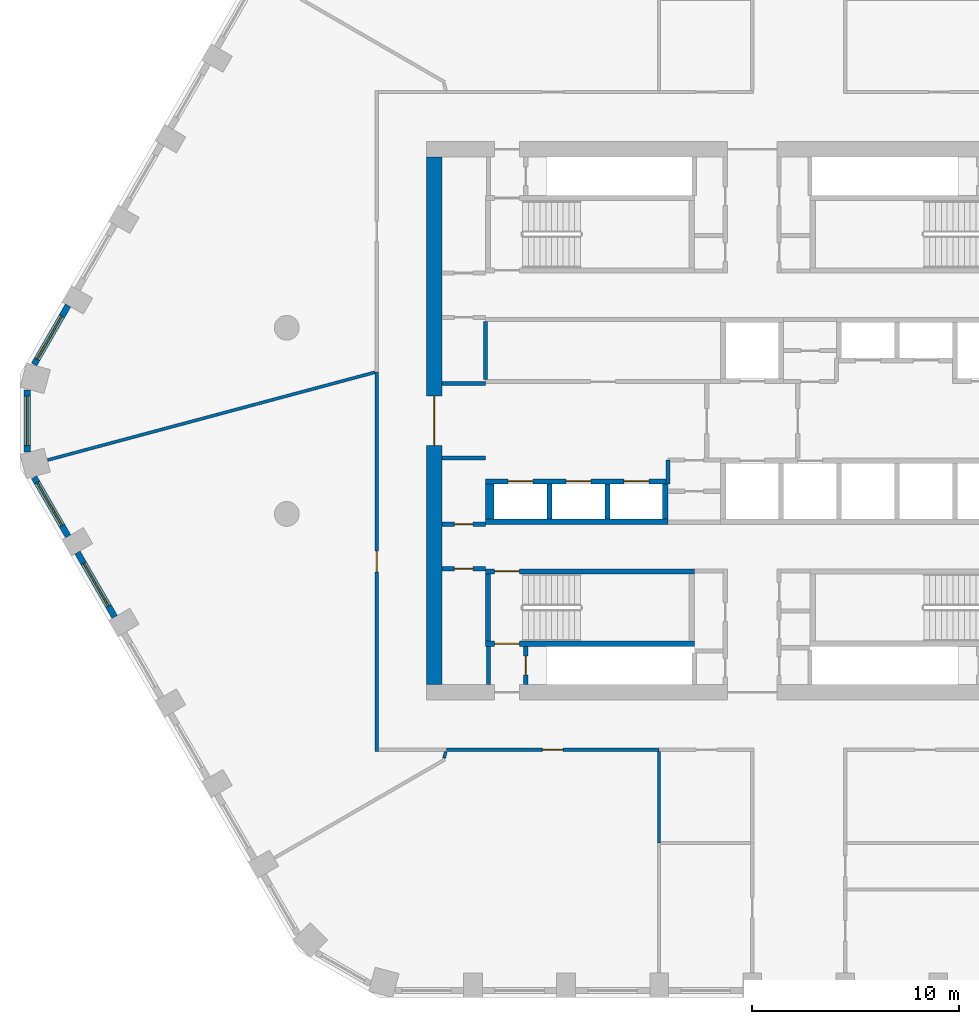
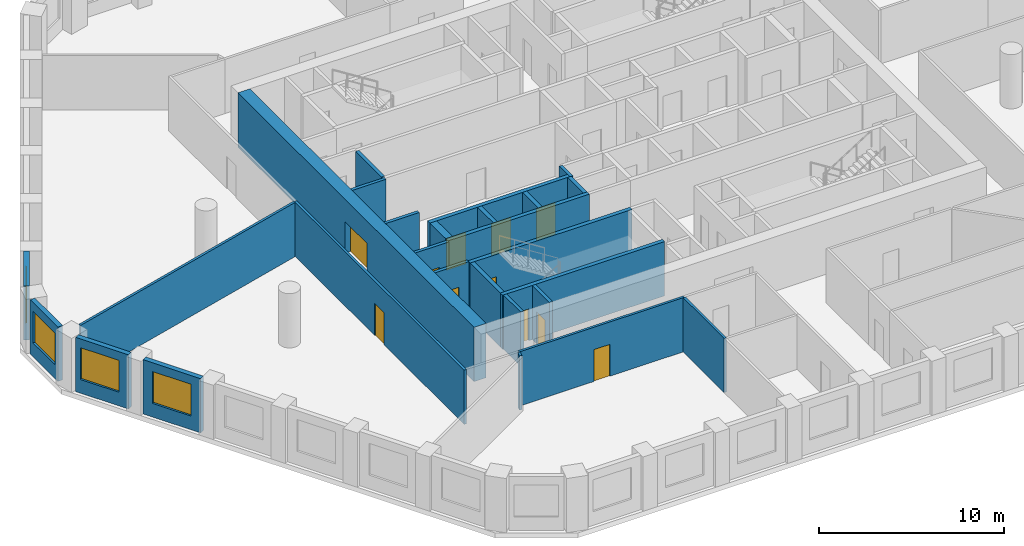
# One storey, part 2 of 9: 27 walls, 11 doors, 4 windows, 15 openings.
"""IFC4 building model written with IfcOpenShell, lengths in metres."""

import ifcopenshell
import ifcopenshell.guid

model = None  # the IFC model being written
_history = None  # IfcOwnerHistory: only IFC2X3 demands one
_inside = {}  # id of a spatial element -> (the spatial element, [elements in it])
_under = {}  # id of a project, library or spatial element -> (it, [spatial elements below it])
_declared = {}  # id of a project -> (the project, [libraries it declares])
_typed = {}  # id of a type object -> (the type object, [elements of that type])
_made_of = {}  # id of a material, layer set ... -> (it, [elements and type objects made of it])


def new_model(schema):
    """Start an empty IFC model of exactly this schema.

    Asked for "IFC4X3", IfcOpenShell would pick the latest addendum, in which some entities
    have other attributes; the version numbers below select the first issue.
    IFC2X3 requires an IfcOwnerHistory on every rooted entity: one is made here for all.
    """
    global model, _history
    if schema == "IFC4X3":
        model = ifcopenshell.file(schema_version=(4, 3, 0, 0))
    else:
        model = ifcopenshell.file(schema=schema)
    _inside.clear()
    _under.clear()
    _declared.clear()
    _typed.clear()
    _made_of.clear()
    _history = None
    if model.schema == "IFC2X3":
        org = make("IfcOrganization", Name="unknown")
        user = make(
            "IfcPersonAndOrganization",
            ThePerson=make("IfcPerson", FamilyName="unknown"),
            TheOrganization=org,
        )
        app = make(
            "IfcApplication",
            ApplicationDeveloper=org,
            Version="unknown",
            ApplicationFullName="unknown",
            ApplicationIdentifier="unknown",
        )
        _history = make(
            "IfcOwnerHistory",
            OwningUser=user,
            OwningApplication=app,
            ChangeAction="ADDED",
            CreationDate=0,
        )
    return model


def make(cls, **values):
    """One entity of the class cls with the attributes given. An attribute that is None is left unset."""
    return model.create_entity(
        cls, **{name: value for name, value in values.items() if value is not None}
    )


def rooted(cls, **values):
    """An entity with a GlobalId (a new one), such as an element, a storey or a relation."""
    return make(cls, GlobalId=ifcopenshell.guid.new(), OwnerHistory=_history, **values)


def si_unit(unit_type, name, prefix=None):
    """IfcSIUnit, for example si_unit("LENGTHUNIT", "METRE", prefix="MILLI")."""
    return make("IfcSIUnit", UnitType=unit_type, Prefix=prefix, Name=name)


def assignment(units):
    """IfcUnitAssignment: the units of a project."""
    return None if units is None else make("IfcUnitAssignment", Units=units)


def point(xyz):
    """IfcCartesianPoint."""
    return None if xyz is None else make("IfcCartesianPoint", Coordinates=xyz)


def direction(xyz):
    """IfcDirection."""
    return None if xyz is None else make("IfcDirection", DirectionRatios=xyz)


def frame(location, z_axis=None, x_axis=None):
    """IfcAxis2Placement3D, a coordinate frame: its origin and axes. An axis left out is left unset."""
    return make(
        "IfcAxis2Placement3D",
        Location=point(location),
        Axis=direction(z_axis),
        RefDirection=direction(x_axis),
    )


def frame_2d(location, x_axis=None):
    """IfcAxis2Placement2D, a coordinate frame in the plane: its origin and x axis."""
    return make(
        "IfcAxis2Placement2D", Location=point(location), RefDirection=direction(x_axis)
    )


def origin():
    """The frame at (0, 0, 0) with its axes left unset."""
    return frame((0.0, 0.0, 0.0))


def place(relative_to, where):
    """IfcLocalPlacement: puts the frame where relative to a parent placement (None: the world)."""
    return make(
        "IfcLocalPlacement", PlacementRelTo=relative_to, RelativePlacement=where
    )


def context(
    kind, dimensions, precision=None, world=None, true_north=None, identifier=None
):
    """IfcGeometricRepresentationContext, for example the 3D "Model" context."""
    return make(
        "IfcGeometricRepresentationContext",
        ContextIdentifier=identifier,
        ContextType=kind,
        CoordinateSpaceDimension=dimensions,
        Precision=precision,
        WorldCoordinateSystem=world,
        TrueNorth=true_north,
    )


def subcontext(parent, identifier, kind, view, scale=None):
    """IfcGeometricRepresentationSubContext, for example "Body" below "Model"."""
    return make(
        "IfcGeometricRepresentationSubContext",
        ContextIdentifier=identifier,
        ContextType=kind,
        ParentContext=parent,
        TargetScale=scale,
        TargetView=view,
    )


def project(units=None, contexts=None):
    """IfcProject with its units and contexts."""
    return rooted(
        "IfcProject",
        Name="project",
        RepresentationContexts=contexts,
        UnitsInContext=assignment(units),
    )


def spatial(cls, under=None, at=None, **own):
    """A site, building, storey or space (cls), placed at a placement, below another one or the project."""
    s = rooted(cls, ObjectPlacement=at, **own)
    if under is not None:
        _under.setdefault(under.id(), (under, []))[1].append(s)
    return s


def polyline(points):
    """IfcPolyline through the points."""
    return make("IfcPolyline", Points=[point(p) for p in points])


def profile(cls, at=None, kind="AREA", **sizes):
    """A parametric profile (cls). Its sizes go by their IFC names, for example OverallWidth=200.0."""
    return make(cls, ProfileType=kind, Position=at, **sizes)


def rectangle(**sizes):
    """IfcRectangleProfileDef."""
    return profile("IfcRectangleProfileDef", **sizes)


def outline(outer, holes=None, kind="AREA"):
    """IfcArbitraryClosedProfileDef: a profile drawn as a closed curve; with holes, ...WithVoids."""
    if holes is None:
        return make("IfcArbitraryClosedProfileDef", ProfileType=kind, OuterCurve=outer)
    return make(
        "IfcArbitraryProfileDefWithVoids",
        ProfileType=kind,
        OuterCurve=outer,
        InnerCurves=holes,
    )


def extrude(swept, where, along, depth):
    """IfcExtrudedAreaSolid: the profile swept, set in the frame where, extruded along a direction by depth."""
    return make(
        "IfcExtrudedAreaSolid",
        SweptArea=swept,
        Position=where,
        ExtrudedDirection=direction(along),
        Depth=depth,
    )


def shape(context_of_items, identifier, shape_type, items):
    """IfcShapeRepresentation: the items that make up one representation, for example the "Body"."""
    return make(
        "IfcShapeRepresentation",
        ContextOfItems=context_of_items,
        RepresentationIdentifier=identifier,
        RepresentationType=shape_type,
        Items=items,
    )


def material(Name=None, Category=None):
    """IfcMaterial."""
    return make("IfcMaterial", Name=Name, Category=Category)


def layer(
    of_material, thickness, ventilated=None, Name=None, Category=None, Priority=None
):
    """IfcMaterialLayer: one layer of a wall or slab, of a material (None: an air gap)."""
    return make(
        "IfcMaterialLayer",
        Material=of_material,
        LayerThickness=thickness,
        IsVentilated=ventilated,
        Name=Name,
        Category=Category,
        Priority=Priority,
    )


def layer_set(layers, Name=None):
    """IfcMaterialLayerSet."""
    return make("IfcMaterialLayerSet", MaterialLayers=layers, LayerSetName=Name)


def made_of(thing, what):
    """Note that an element or type object is made of a material, layer set ...; save() writes the relation."""
    if what is not None:
        _made_of.setdefault(what.id(), (what, []))[1].append(thing)
    return thing


def type_object(cls, material=None, **own):
    """A type object (cls), such as IfcWallType, which elements share."""
    return made_of(rooted(cls, **own), material)


def element(
    cls,
    number,
    at=None,
    inside=None,
    cuts=None,
    type_object=None,
    material=None,
    context=None,
    identifier="Body",
    shape_type=None,
    held_by="IfcProductDefinitionShape",
    body=None,
    shapes=None,
    **own,
):
    """One element of the class cls, such as IfcWall. Its Tag is "e" and its number.

    at: its placement. inside: the storey or other place that contains it. cuts: it is an
    opening in that element (IfcRelVoidsElement). A single representation is given by context,
    identifier, shape_type and body (its items); several are given by shapes. held_by: the class
    of the entity that holds the representations. save() writes the other relations.
    """
    e = rooted(cls, Tag="e%d" % number, ObjectPlacement=at, **own)
    if body is not None:
        shapes = [shape(context, identifier, shape_type, body)]
    if shapes is not None:
        e.Representation = make(held_by, Representations=shapes)
    if inside is not None:
        _inside.setdefault(inside.id(), (inside, []))[1].append(e)
    if cuts is not None:
        rooted(
            "IfcRelVoidsElement", RelatingBuildingElement=cuts, RelatedOpeningElement=e
        )
    if type_object is not None:
        _typed.setdefault(type_object.id(), (type_object, []))[1].append(e)
    return made_of(e, material)


def fill(opening, filler):
    """IfcRelFillsElement: the door or window that sits in an opening."""
    return rooted(
        "IfcRelFillsElement",
        RelatingOpeningElement=opening,
        RelatedBuildingElement=filler,
    )


def aggregate(whole, parts):
    """IfcRelAggregates: a whole, such as a stair, and the parts it consists of."""
    return rooted("IfcRelAggregates", RelatingObject=whole, RelatedObjects=parts)


def save(model, path):
    """Write the relations noted so far, then the file.

    IfcRelAggregates (storeys below a building ...), IfcRelContainedInSpatialStructure (elements
    in a storey), IfcRelDefinesByType, IfcRelAssociatesMaterial and IfcRelDeclares: one each for
    every whole, place, type object, material and project.
    """
    for whole, parts in _under.values():
        aggregate(whole, parts)
    for where, things in _inside.values():
        rooted(
            "IfcRelContainedInSpatialStructure",
            RelatedElements=things,
            RelatingStructure=where,
        )
    for kind, things in _typed.values():
        rooted("IfcRelDefinesByType", RelatedObjects=things, RelatingType=kind)
    for what, things in _made_of.values():
        rooted("IfcRelAssociatesMaterial", RelatedObjects=things, RelatingMaterial=what)
    for by, libraries in _declared.values():
        rooted("IfcRelDeclares", RelatingContext=by, RelatedDefinitions=libraries)
    model.write(path)


model = new_model("IFC4")

# Units and contexts
model_context = context("Model", 3, precision=1e-05, world=origin(), true_north=direction((0.0, 1.0)))
body_context = subcontext(model_context, "Body", "Model", "MODEL_VIEW")
ifc_project = project(units=[si_unit("LENGTHUNIT", "METRE"), si_unit("AREAUNIT", "SQUARE_METRE"), si_unit("VOLUMEUNIT", "CUBIC_METRE"), si_unit("PLANEANGLEUNIT", "RADIAN"), si_unit("MASSUNIT", "GRAM", prefix="KILO")], contexts=[model_context])

# Site, building, storey
site_placement = place(None, origin())
site = spatial("IfcSite", under=ifc_project, at=site_placement, CompositionType="ELEMENT")
building_placement = place(site_placement, origin())
building = spatial("IfcBuilding", under=site, at=building_placement, Name="Dhurran Vertical Campus", CompositionType="ELEMENT")
storey_placement = place(building_placement, frame((0.0, 0.0, 167.699951171875)))
storey = spatial("IfcBuildingStorey", under=building, at=storey_placement, Name="L41", CompositionType="ELEMENT", Elevation=167.699951171875)

# Wall, opening, window
ifc_material_1 = material(Name="Precast concrete C50/60", Category="concrete")
ifc_layer_1 = layer(ifc_material_1, 0.300048828125)
ifc_layer_set_1 = layer_set([ifc_layer_1], Name="Precast concrete C50/60")
wall_type_1 = type_object("IfcWallType", Name="Precast spandrel wall 300", PredefinedType="SOLIDWALL", material=ifc_layer_set_1)
wall_1_placement = place(storey_placement, frame((-33.0693359375, 5.58203125, 0.0), z_axis=(0.0, 0.0, 1.0), x_axis=(-0.499981217486, -0.866036247602, 0.0)))
wall_1 = element("IfcWall", 1, at=wall_1_placement, inside=storey, type_object=wall_type_1, Name="EW1 L41.37", PredefinedType="SOLIDWALL", context=body_context, shape_type="SweptSolid", body=[
    extrude(rectangle(XDim=3.294189453125, YDim=0.300048828125, at=frame_2d((1.64697265625, 0.0))), origin(), (0.0, 0.0, 1.0), 3.574951171875),
])
opening_1_placement = place(wall_1_placement, frame((0.599609375, 0.0, 0.89990234375)))
opening_1 = element("IfcOpeningElement", 2, at=opening_1_placement, cuts=wall_1, Name="Opening WT1", PredefinedType="OPENING", context=body_context, shape_type="SweptSolid", body=[
    extrude(rectangle(XDim=2.39990234375, YDim=2.10009765625, at=frame_2d((1.199951171875, 1.050048828125))), frame((0.0, 0.159912109375, 0.0), z_axis=(0.0, -1.0, 0.0), x_axis=(1.0, 0.0, 0.0)), (0.0, 0.0, 1.0), 0.320068359375),
])
ifc_material_2 = material(Name="Aluminium frame with solar-control glass", Category="aluminium")
window_type = type_object("IfcWindowType", Name="Punched window 2400 x 2100", PartitioningType="SINGLE_PANEL", PredefinedType="WINDOW", material=ifc_material_2)
window_1_placement = place(opening_1_placement, origin())
window_1 = element("IfcWindow", 3, at=window_1_placement, inside=storey, type_object=window_type, Name="WT1 L41.37", OverallHeight=2.10009765625, OverallWidth=2.39990234375, PartitioningType="SINGLE_PANEL", PredefinedType="WINDOW", context=body_context, shape_type="SweptSolid", body=[
    extrude(rectangle(XDim=2.39990234375, YDim=2.10009765625, at=frame_2d((1.199951171875, 1.050048828125))), frame((0.0, 0.030029296875, 0.0), z_axis=(0.0, -1.0, 0.0), x_axis=(1.0, 0.0, 0.0)), (0.0, 0.0, 1.0), 0.06005859375),
])
fill(opening_1, window_1)

wall_2_placement = place(storey_placement, frame((-35.047119140625, 1.49462890625, 0.0), z_axis=(0.0, 0.0, 1.0), x_axis=(0.0, -1.0, 0.0)))
wall_2 = element("IfcWall", 4, at=wall_2_placement, inside=storey, type_object=wall_type_1, Name="EW1 L41.38", PredefinedType="SOLIDWALL", context=body_context, shape_type="SweptSolid", body=[
    extrude(rectangle(XDim=2.9892578125, YDim=0.300048828125, at=frame_2d((1.49462890625, 0.0))), origin(), (0.0, 0.0, 1.0), 3.574951171875),
])
opening_2_placement = place(wall_2_placement, frame((0.294677734375, 0.0, 0.89990234375)))
opening_2 = element("IfcOpeningElement", 5, at=opening_2_placement, cuts=wall_2, Name="Opening WT1", PredefinedType="OPENING", context=body_context, shape_type="SweptSolid", body=[
    extrude(rectangle(XDim=2.39990234375, YDim=2.10009765625, at=frame_2d((1.199951171875, 1.050048828125))), frame((0.0, 0.159912109375, 0.0), z_axis=(0.0, -1.0, 0.0), x_axis=(1.0, 0.0, 0.0)), (0.0, 0.0, 1.0), 0.320068359375),
])
window_2_placement = place(opening_2_placement, origin())
window_2 = element("IfcWindow", 6, at=window_2_placement, inside=storey, type_object=window_type, Name="WT1 L41.38", OverallHeight=2.10009765625, OverallWidth=2.39990234375, PartitioningType="SINGLE_PANEL", PredefinedType="WINDOW", context=body_context, shape_type="SweptSolid", body=[
    extrude(rectangle(XDim=2.39990234375, YDim=2.10009765625, at=frame_2d((1.199951171875, 1.050048828125))), frame((0.0, 0.030029296875, 0.0), z_axis=(0.0, -1.0, 0.0), x_axis=(1.0, 0.0, 0.0)), (0.0, 0.0, 1.0), 0.06005859375),
])
fill(opening_2, window_2)

wall_3_placement = place(storey_placement, frame((-34.71630859375, -2.729248046875, 0.0), z_axis=(0.0, 0.0, 1.0), x_axis=(0.499981217486, -0.866036247602, 0.0)))
wall_3 = element("IfcWall", 7, at=wall_3_placement, inside=storey, type_object=wall_type_1, Name="EW1 L41.39", PredefinedType="SOLIDWALL", context=body_context, shape_type="SweptSolid", body=[
    extrude(rectangle(XDim=3.294189453125, YDim=0.300048828125, at=frame_2d((1.64697265625, 0.0))), origin(), (0.0, 0.0, 1.0), 3.574951171875),
])
opening_3_placement = place(wall_3_placement, frame((0.294677734375, 0.0, 0.89990234375)))
opening_3 = element("IfcOpeningElement", 8, at=opening_3_placement, cuts=wall_3, Name="Opening WT1", PredefinedType="OPENING", context=body_context, shape_type="SweptSolid", body=[
    extrude(rectangle(XDim=2.39990234375, YDim=2.10009765625, at=frame_2d((1.199951171875, 1.050048828125))), frame((0.0, 0.159912109375, 0.0), z_axis=(0.0, -1.0, 0.0), x_axis=(1.0, 0.0, 0.0)), (0.0, 0.0, 1.0), 0.320068359375),
])
window_3_placement = place(opening_3_placement, origin())
window_3 = element("IfcWindow", 9, at=window_3_placement, inside=storey, type_object=window_type, Name="WT1 L41.39", OverallHeight=2.10009765625, OverallWidth=2.39990234375, PartitioningType="SINGLE_PANEL", PredefinedType="WINDOW", context=body_context, shape_type="SweptSolid", body=[
    extrude(rectangle(XDim=2.39990234375, YDim=2.10009765625, at=frame_2d((1.199951171875, 1.050048828125))), frame((0.0, 0.030029296875, 0.0), z_axis=(0.0, -1.0, 0.0), x_axis=(1.0, 0.0, 0.0)), (0.0, 0.0, 1.0), 0.06005859375),
])
fill(opening_3, window_3)

wall_4_placement = place(storey_placement, frame((-32.618896484375, -6.3623046875, 0.0), z_axis=(0.0, 0.0, 1.0), x_axis=(0.500027802648, -0.866009351323, 0.0)))
wall_4 = element("IfcWall", 10, at=wall_4_placement, inside=storey, type_object=wall_type_1, Name="EW1 L41.40", PredefinedType="SOLIDWALL", context=body_context, shape_type="SweptSolid", body=[
    extrude(rectangle(XDim=3.598876953125, YDim=0.300048828125, at=frame_2d((1.79931640625, 0.0))), origin(), (0.0, 0.0, 1.0), 3.574951171875),
])
opening_4_placement = place(wall_4_placement, frame((0.599609375, 0.0, 0.89990234375)))
opening_4 = element("IfcOpeningElement", 11, at=opening_4_placement, cuts=wall_4, Name="Opening WT1", PredefinedType="OPENING", context=body_context, shape_type="SweptSolid", body=[
    extrude(rectangle(XDim=2.39990234375, YDim=2.10009765625, at=frame_2d((1.199951171875, 1.050048828125))), frame((0.0, 0.159912109375, 0.0), z_axis=(0.0, -1.0, 0.0), x_axis=(1.0, 0.0, 0.0)), (0.0, 0.0, 1.0), 0.320068359375),
])
window_4_placement = place(opening_4_placement, origin())
window_4 = element("IfcWindow", 12, at=window_4_placement, inside=storey, type_object=window_type, Name="WT1 L41.40", OverallHeight=2.10009765625, OverallWidth=2.39990234375, PartitioningType="SINGLE_PANEL", PredefinedType="WINDOW", context=body_context, shape_type="SweptSolid", body=[
    extrude(rectangle(XDim=2.39990234375, YDim=2.10009765625, at=frame_2d((1.199951171875, 1.050048828125))), frame((0.0, 0.030029296875, 0.0), z_axis=(0.0, -1.0, 0.0), x_axis=(1.0, 0.0, 0.0)), (0.0, 0.0, 1.0), 0.06005859375),
])
fill(opening_4, window_4)

# Wall, opening, door
ifc_material_3 = material(Name="Concrete C60/75", Category="concrete")
ifc_layer_2 = layer(ifc_material_3, 0.75)
ifc_layer_set_2 = layer_set([ifc_layer_2], Name="Concrete C60/75")
wall_type_2 = type_object("IfcWallType", Name="co-CORE-WALL-C1-750", PredefinedType="SHEAR", material=ifc_layer_set_2)
wall_5_placement = place(storey_placement, frame((-15.375, -12.75, 0.0), z_axis=(0.0, 0.0, 1.0), x_axis=(0.0, 1.0, 0.0)))
wall_5 = element("IfcWall", 13, at=wall_5_placement, inside=storey, type_object=wall_type_2, Name="Core wall W L41", PredefinedType="SHEAR", context=body_context, shape_type="SweptSolid", body=[
    extrude(rectangle(XDim=25.5, YDim=0.75, at=frame_2d((12.75, 0.0))), origin(), (0.0, 0.0, 1.0), 3.574951171875),
])
opening_5_placement = place(wall_5_placement, frame((11.550048828125, 0.0, 0.0)))
opening_5 = element("IfcOpeningElement", 14, at=opening_5_placement, cuts=wall_5, Name="Opening CL1", PredefinedType="OPENING", context=body_context, shape_type="SweptSolid", body=[
    extrude(rectangle(XDim=2.39990234375, YDim=2.10009765625, at=frame_2d((1.199951171875, 1.050048828125))), frame((0.0, 0.385009765625, 0.0), z_axis=(0.0, -1.0, 0.0), x_axis=(1.0, 0.0, 0.0)), (0.0, 0.0, 1.0), 0.77001953125),
])
ifc_material_4 = material(Name="Fire-rated glazed door set")
door_type_1 = type_object("IfcDoorType", Name="co-D-LOBBY 2400x2100", OperationType="DOUBLE_DOOR_DOUBLE_SWING", PredefinedType="DOOR", material=ifc_material_4)
door_1_placement = place(opening_5_placement, origin())
door_1 = element("IfcDoor", 15, at=door_1_placement, inside=storey, type_object=door_type_1, Name="Lift lobby door W L41", OperationType="DOUBLE_DOOR_DOUBLE_SWING", OverallHeight=2.10009765625, OverallWidth=2.39990234375, PredefinedType="DOOR", context=body_context, shape_type="SweptSolid", body=[
    extrude(rectangle(XDim=2.39990234375, YDim=2.10009765625, at=frame_2d((1.199951171875, 1.050048828125))), frame((0.0, 0.02490234375, 0.0), z_axis=(0.0, -1.0, 0.0), x_axis=(1.0, 0.0, 0.0)), (0.0, 0.0, 1.0), 0.050048828125),
])
fill(opening_5, door_1)

# Wall
ifc_material_5 = material(Name="Fire-rated masonry blockwork", Category="masonry")
ifc_layer_3 = layer(ifc_material_5, 0.199951171875)
ifc_layer_set_3 = layer_set([ifc_layer_3], Name="Fire-rated masonry blockwork")
wall_type_3 = type_object("IfcWallType", Name="co-FIRE-PARTITION-200", PredefinedType="PARTITIONING", material=ifc_layer_set_3)
wall_6_placement = place(storey_placement, frame((-12.75, -12.75, 0.0), z_axis=(0.0, 0.0, 1.0), x_axis=(0.0, 1.0, 0.0)))
element("IfcWall", 16, at=wall_6_placement, inside=storey, type_object=wall_type_3, Name="Core partition pass-ST3-o L41", PredefinedType="PARTITIONING", context=body_context, shape_type="SweptSolid", body=[
    extrude(rectangle(XDim=1.85009765625, YDim=0.199951171875, at=frame_2d((0.925048828125, 0.0))), origin(), (0.0, 0.0, 1.0), 3.574951171875),
])

# Wall, opening, door
wall_7_placement = place(storey_placement, frame((-10.949951171875, -12.75, 0.0), z_axis=(0.0, 0.0, 1.0), x_axis=(0.0, 1.0, 0.0)))
wall_7 = element("IfcWall", 17, at=wall_7_placement, inside=storey, type_object=wall_type_3, Name="Core partition pass-ST3-i L41", PredefinedType="PARTITIONING", context=body_context, shape_type="SweptSolid", body=[
    extrude(rectangle(XDim=1.85009765625, YDim=0.199951171875, at=frame_2d((0.925048828125, 0.0))), origin(), (0.0, 0.0, 1.0), 3.574951171875),
])
opening_6_placement = place(wall_7_placement, frame((0.47509765625, 0.0, 0.0)))
opening_6 = element("IfcOpeningElement", 18, at=opening_6_placement, cuts=wall_7, Name="Opening T12-C12", PredefinedType="OPENING", context=body_context, shape_type="SweptSolid", body=[
    extrude(rectangle(XDim=0.89990234375, YDim=2.10009765625, at=frame_2d((0.449951171875, 1.050048828125))), frame((0.0, 0.10986328125, 0.0), z_axis=(0.0, -1.0, 0.0), x_axis=(1.0, 0.0, 0.0)), (0.0, 0.0, 1.0), 0.219970703125),
])
ifc_material_6 = material(Name="Fire-rated timber door set", Category="wood")
door_type_2 = type_object("IfcDoorType", Name="co-D-ROOM 900x2100", OperationType="SINGLE_SWING_LEFT", PredefinedType="DOOR", material=ifc_material_6)
door_2_placement = place(opening_6_placement, origin())
door_2 = element("IfcDoor", 19, at=door_2_placement, inside=storey, type_object=door_type_2, Name="Riser room door L41", OperationType="SINGLE_SWING_LEFT", OverallHeight=2.10009765625, OverallWidth=0.89990234375, PredefinedType="DOOR", context=body_context, shape_type="SweptSolid", body=[
    extrude(rectangle(XDim=0.89990234375, YDim=2.10009765625, at=frame_2d((0.449951171875, 1.050048828125))), frame((0.0, 0.02490234375, 0.0), z_axis=(0.0, -1.0, 0.0), x_axis=(1.0, 0.0, 0.0)), (0.0, 0.0, 1.0), 0.050048828125),
])
fill(opening_6, door_2)

# Wall
wall_8_placement = place(storey_placement, frame((-15.0, 1.800048828125, 0.0), z_axis=(0.0, 0.0, 1.0), x_axis=(1.0, 0.0, 0.0)))
element("IfcWall", 20, at=wall_8_placement, inside=storey, type_object=wall_type_3, Name="Core partition es-NW-l L41", PredefinedType="PARTITIONING", context=body_context, shape_type="SweptSolid", body=[
    extrude(rectangle(XDim=2.10009765625, YDim=0.199951171875, at=frame_2d((1.050048828125, 0.0))), origin(), (0.0, 0.0, 1.0), 3.574951171875),
])

# Wall, opening, door
wall_9_placement = place(storey_placement, frame((-15.0, -7.14990234375, 0.0), z_axis=(0.0, 0.0, 1.0), x_axis=(1.0, 0.0, 0.0)))
wall_9 = element("IfcWall", 21, at=wall_9_placement, inside=storey, type_object=wall_type_3, Name="Core partition en-SW-w L41", PredefinedType="PARTITIONING", context=body_context, shape_type="SweptSolid", body=[
    extrude(rectangle(XDim=2.10009765625, YDim=0.199951171875, at=frame_2d((1.050048828125, 0.0))), origin(), (0.0, 0.0, 1.0), 3.574951171875),
])
opening_7_placement = place(wall_9_placement, frame((0.60009765625, 0.0, 0.0)))
opening_7 = element("IfcOpeningElement", 22, at=opening_7_placement, cuts=wall_9, Name="Opening T12-C18", PredefinedType="OPENING", context=body_context, shape_type="SweptSolid", body=[
    extrude(rectangle(XDim=0.89990234375, YDim=2.10009765625, at=frame_2d((0.449951171875, 1.050048828125))), frame((0.0, 0.10986328125, 0.0), z_axis=(0.0, -1.0, 0.0), x_axis=(1.0, 0.0, 0.0)), (0.0, 0.0, 1.0), 0.219970703125),
])
door_3_placement = place(opening_7_placement, origin())
door_3 = element("IfcDoor", 23, at=door_3_placement, inside=storey, type_object=door_type_2, Name="Waste room door L41", OperationType="SINGLE_SWING_LEFT", OverallHeight=2.10009765625, OverallWidth=0.89990234375, PredefinedType="DOOR", context=body_context, shape_type="SweptSolid", body=[
    extrude(rectangle(XDim=0.89990234375, YDim=2.10009765625, at=frame_2d((0.449951171875, 1.050048828125))), frame((0.0, 0.02490234375, 0.0), z_axis=(0.0, -1.0, 0.0), x_axis=(1.0, 0.0, 0.0)), (0.0, 0.0, 1.0), 0.050048828125),
])
fill(opening_7, door_3)

wall_10_placement = place(storey_placement, frame((-15.0, -5.0, 0.0), z_axis=(0.0, 0.0, 1.0), x_axis=(1.0, 0.0, 0.0)))
wall_10 = element("IfcWall", 24, at=wall_10_placement, inside=storey, type_object=wall_type_3, Name="Core partition es-SW-w L41", PredefinedType="PARTITIONING", context=body_context, shape_type="SweptSolid", body=[
    extrude(rectangle(XDim=2.10009765625, YDim=0.199951171875, at=frame_2d((1.050048828125, 0.0))), origin(), (0.0, 0.0, 1.0), 3.574951171875),
])
opening_8_placement = place(wall_10_placement, frame((0.60009765625, 0.0, 0.0)))
opening_8 = element("IfcOpeningElement", 25, at=opening_8_placement, cuts=wall_10, Name="Opening T12-C19", PredefinedType="OPENING", context=body_context, shape_type="SweptSolid", body=[
    extrude(rectangle(XDim=0.89990234375, YDim=2.10009765625, at=frame_2d((0.449951171875, 1.050048828125))), frame((0.0, 0.10986328125, 0.0), z_axis=(0.0, -1.0, 0.0), x_axis=(1.0, 0.0, 0.0)), (0.0, 0.0, 1.0), 0.219970703125),
])
door_4_placement = place(opening_8_placement, origin())
door_4 = element("IfcDoor", 26, at=door_4_placement, inside=storey, type_object=door_type_2, Name="Print room door L41", OperationType="SINGLE_SWING_LEFT", OverallHeight=2.10009765625, OverallWidth=0.89990234375, PredefinedType="DOOR", context=body_context, shape_type="SweptSolid", body=[
    extrude(rectangle(XDim=0.89990234375, YDim=2.10009765625, at=frame_2d((0.449951171875, 1.050048828125))), frame((0.0, 0.02490234375, 0.0), z_axis=(0.0, -1.0, 0.0), x_axis=(1.0, 0.0, 0.0)), (0.0, 0.0, 1.0), 0.050048828125),
])
fill(opening_8, door_4)

# Walls
wall_11_placement = place(storey_placement, frame((-15.0, -1.800048828125, 0.0), z_axis=(0.0, 0.0, 1.0), x_axis=(1.0, 0.0, 0.0)))
element("IfcWall", 27, at=wall_11_placement, inside=storey, type_object=wall_type_3, Name="Core partition es-SW-l L41", PredefinedType="PARTITIONING", context=body_context, shape_type="SweptSolid", body=[
    extrude(rectangle(XDim=2.10009765625, YDim=0.199951171875, at=frame_2d((1.050048828125, 0.0))), origin(), (0.0, 0.0, 1.0), 3.574951171875),
])
wall_12_placement = place(storey_placement, frame((-12.89990234375, 2.0, 0.0), z_axis=(0.0, 0.0, 1.0), x_axis=(0.0, 1.0, 0.0)))
element("IfcWall", 28, at=wall_12_placement, inside=storey, type_object=wall_type_3, Name="Core partition fr-N0-e0 L41", PredefinedType="PARTITIONING", context=body_context, shape_type="SweptSolid", body=[
    extrude(rectangle(XDim=2.800048828125, YDim=0.199951171875, at=frame_2d((1.39990234375, 0.0))), origin(), (0.0, 0.0, 1.0), 3.574951171875),
])
wall_13_placement = place(storey_placement, frame((-4.074951171875, -1.89990234375, 0.0), z_axis=(0.0, 0.0, 1.0), x_axis=(0.0, -1.0, 0.0)))
element("IfcWall", 29, at=wall_13_placement, inside=storey, type_object=wall_type_3, Name="Core partition fr-S0-n0 L41", PredefinedType="PARTITIONING", context=body_context, shape_type="SweptSolid", body=[
    extrude(rectangle(XDim=1.150146484375, YDim=0.199951171875, at=frame_2d((0.5751953125, 0.0))), origin(), (0.0, 0.0, 1.0), 3.574951171875),
])

# Wall, openings, doors
ifc_material_7 = material(Name="Concrete C50/60", Category="concrete")
ifc_layer_4 = layer(ifc_material_7, 0.25)
ifc_layer_set_4 = layer_set([ifc_layer_4], Name="Concrete C50/60")
wall_type_4 = type_object("IfcWallType", Name="co-SHAFT-FRONT-250", PredefinedType="SHEAR", material=ifc_layer_set_4)
wall_14_placement = place(storey_placement, frame((-12.89990234375, -2.925048828125, 0.0), z_axis=(0.0, 0.0, 1.0), x_axis=(1.0, 0.0, 0.0)))
wall_14 = element("IfcWall", 30, at=wall_14_placement, inside=storey, type_object=wall_type_4, Name="Lift landing wall S L41", PredefinedType="SHEAR", context=body_context, shape_type="SweptSolid", body=[
    extrude(rectangle(XDim=8.824951171875, YDim=0.25, at=frame_2d((4.41259765625, 0.0))), origin(), (0.0, 0.0, 1.0), 3.574951171875),
])
opening_9_placement = place(wall_14_placement, frame((1.10009765625, 0.0, 0.0)))
opening_9 = element("IfcOpeningElement", 31, at=opening_9_placement, cuts=wall_14, Name="Opening LD", PredefinedType="OPENING", context=body_context, shape_type="SweptSolid", body=[
    extrude(rectangle(XDim=1.199951171875, YDim=2.10009765625, at=frame_2d((0.60009765625, 1.050048828125))), frame((0.0, 0.135009765625, 0.0), z_axis=(0.0, -1.0, 0.0), x_axis=(1.0, 0.0, 0.0)), (0.0, 0.0, 1.0), 0.27001953125),
])
opening_10_placement = place(wall_14_placement, frame((3.89990234375, 0.0, 0.0)))
opening_10 = element("IfcOpeningElement", 32, at=opening_10_placement, cuts=wall_14, Name="Opening LD", PredefinedType="OPENING", context=body_context, shape_type="SweptSolid", body=[
    extrude(rectangle(XDim=1.199951171875, YDim=2.10009765625, at=frame_2d((0.60009765625, 1.050048828125))), frame((0.0, 0.135009765625, 0.0), z_axis=(0.0, -1.0, 0.0), x_axis=(1.0, 0.0, 0.0)), (0.0, 0.0, 1.0), 0.27001953125),
])
opening_11_placement = place(wall_14_placement, frame((6.699951171875, 0.0, 0.0)))
opening_11 = element("IfcOpeningElement", 33, at=opening_11_placement, cuts=wall_14, Name="Opening LD", PredefinedType="OPENING", context=body_context, shape_type="SweptSolid", body=[
    extrude(rectangle(XDim=1.199951171875, YDim=2.10009765625, at=frame_2d((0.60009765625, 1.050048828125))), frame((0.0, 0.135009765625, 0.0), z_axis=(0.0, -1.0, 0.0), x_axis=(1.0, 0.0, 0.0)), (0.0, 0.0, 1.0), 0.27001953125),
])
ifc_material_8 = material(Name="Stainless steel landing door", Category="steel")
door_type_3 = type_object("IfcDoorType", Name="co-D-LANDING 1200x2100", OperationType="DOUBLE_DOOR_SLIDING", PredefinedType="DOOR", material=ifc_material_8)
door_5_placement = place(opening_9_placement, origin())
door_5 = element("IfcDoor", 34, at=door_5_placement, inside=storey, type_object=door_type_3, Name="Landing door MR3 L41", OperationType="DOUBLE_DOOR_SLIDING", OverallHeight=2.10009765625, OverallWidth=1.199951171875, PredefinedType="DOOR", context=body_context, shape_type="SweptSolid", body=[
    extrude(rectangle(XDim=1.199951171875, YDim=2.10009765625, at=frame_2d((0.60009765625, 1.050048828125))), frame((0.0, 0.02490234375, 0.0), z_axis=(0.0, -1.0, 0.0), x_axis=(1.0, 0.0, 0.0)), (0.0, 0.0, 1.0), 0.050048828125),
])
fill(opening_9, door_5)
door_6_placement = place(opening_10_placement, origin())
door_6 = element("IfcDoor", 35, at=door_6_placement, inside=storey, type_object=door_type_3, Name="Landing door MR4 L41", OperationType="DOUBLE_DOOR_SLIDING", OverallHeight=2.10009765625, OverallWidth=1.199951171875, PredefinedType="DOOR", context=body_context, shape_type="SweptSolid", body=[
    extrude(rectangle(XDim=1.199951171875, YDim=2.10009765625, at=frame_2d((0.60009765625, 1.050048828125))), frame((0.0, 0.02490234375, 0.0), z_axis=(0.0, -1.0, 0.0), x_axis=(1.0, 0.0, 0.0)), (0.0, 0.0, 1.0), 0.050048828125),
])
fill(opening_10, door_6)
door_7_placement = place(opening_11_placement, origin())
door_7 = element("IfcDoor", 36, at=door_7_placement, inside=storey, type_object=door_type_3, Name="Landing door MR5 L41", OperationType="DOUBLE_DOOR_SLIDING", OverallHeight=2.10009765625, OverallWidth=1.199951171875, PredefinedType="DOOR", context=body_context, shape_type="SweptSolid", body=[
    extrude(rectangle(XDim=1.199951171875, YDim=2.10009765625, at=frame_2d((0.60009765625, 1.050048828125))), frame((0.0, 0.02490234375, 0.0), z_axis=(0.0, -1.0, 0.0), x_axis=(1.0, 0.0, 0.0)), (0.0, 0.0, 1.0), 0.050048828125),
])
fill(opening_11, door_7)

# Walls
ifc_material_9 = material(Name="Concrete C50/60", Category="concrete")
ifc_layer_5 = layer(ifc_material_9, 0.25)
ifc_layer_set_5 = layer_set([ifc_layer_5], Name="Concrete C50/60")
wall_type_5 = type_object("IfcWallType", Name="co-SHAFT-MASS-250", PredefinedType="SHEAR", material=ifc_layer_set_5)
wall_15_placement = place(storey_placement, origin())
element("IfcWall", 37, at=wall_15_placement, inside=storey, type_object=wall_type_5, Name="Lift shaft wall S L41 1", PredefinedType="SHEAR", context=body_context, shape_type="SweptSolid", body=[
    extrude(outline(polyline([(-12.89990234375, -5.0), (-4.074951171875, -5.0), (-4.074951171875, -4.75), (-12.89990234375, -4.75), (-12.89990234375, -5.0)])), origin(), (0.0, 0.0, 1.0), 3.574951171875),
])
wall_16_placement = place(storey_placement, origin())
element("IfcWall", 38, at=wall_16_placement, inside=storey, type_object=wall_type_5, Name="Lift shaft wall S L41 3", PredefinedType="SHEAR", context=body_context, shape_type="SweptSolid", body=[
    extrude(outline(polyline([(-12.89990234375, -4.75), (-12.47509765625, -4.75), (-12.47509765625, -3.050048828125), (-12.89990234375, -3.050048828125), (-12.89990234375, -4.75)])), origin(), (0.0, 0.0, 1.0), 3.574951171875),
])
wall_17_placement = place(storey_placement, origin())
element("IfcWall", 39, at=wall_17_placement, inside=storey, type_object=wall_type_5, Name="Lift shaft wall S L41 4", PredefinedType="SHEAR", context=body_context, shape_type="SweptSolid", body=[
    extrude(outline(polyline([(-9.925048828125, -4.75), (-9.675048828125, -4.75), (-9.675048828125, -3.050048828125), (-9.925048828125, -3.050048828125), (-9.925048828125, -4.75)])), origin(), (0.0, 0.0, 1.0), 3.574951171875),
])
wall_18_placement = place(storey_placement, origin())
element("IfcWall", 40, at=wall_18_placement, inside=storey, type_object=wall_type_5, Name="Lift shaft wall S L41 5", PredefinedType="SHEAR", context=body_context, shape_type="SweptSolid", body=[
    extrude(outline(polyline([(-7.125, -4.75), (-6.875, -4.75), (-6.875, -3.050048828125), (-7.125, -3.050048828125), (-7.125, -4.75)])), origin(), (0.0, 0.0, 1.0), 3.574951171875),
])
wall_19_placement = place(storey_placement, origin())
element("IfcWall", 41, at=wall_19_placement, inside=storey, type_object=wall_type_5, Name="Lift shaft wall S L41 6", PredefinedType="SHEAR", context=body_context, shape_type="SweptSolid", body=[
    extrude(outline(polyline([(-4.324951171875, -4.75), (-4.074951171875, -4.75), (-4.074951171875, -3.050048828125), (-4.324951171875, -3.050048828125), (-4.324951171875, -4.75)])), origin(), (0.0, 0.0, 1.0), 3.574951171875),
])

# Wall, opening, door
ifc_material_10 = material(Name="Concrete C40/50", Category="concrete")
ifc_layer_6 = layer(ifc_material_10, 0.25)
ifc_layer_set_6 = layer_set([ifc_layer_6], Name="Concrete C40/50")
wall_type_6 = type_object("IfcWallType", Name="co-STAIR-WALL-250", PredefinedType="SHEAR", material=ifc_layer_set_6)
wall_20_placement = place(storey_placement, frame((-12.89990234375, -10.77490234375, 0.0), z_axis=(0.0, 0.0, 1.0), x_axis=(1.0, 0.0, 0.0)))
wall_20 = element("IfcWall", 42, at=wall_20_placement, inside=storey, type_object=wall_type_6, Name="Stair ST3 enclosure wall L41", PredefinedType="SHEAR", context=body_context, shape_type="SweptSolid", body=[
    extrude(rectangle(XDim=10.099853515625, YDim=0.25, at=frame_2d((5.0498046875, 0.0))), origin(), (0.0, 0.0, 1.0), 3.574951171875),
])
opening_12_placement = place(wall_20_placement, frame((0.449951171875, 0.0, 0.0)))
opening_12 = element("IfcOpeningElement", 43, at=opening_12_placement, cuts=wall_20, Name="Opening XS3", PredefinedType="OPENING", context=body_context, shape_type="SweptSolid", body=[
    extrude(rectangle(XDim=1.199951171875, YDim=2.10009765625, at=frame_2d((0.60009765625, 1.050048828125))), frame((0.0, 0.135009765625, 0.0), z_axis=(0.0, -1.0, 0.0), x_axis=(1.0, 0.0, 0.0)), (0.0, 0.0, 1.0), 0.27001953125),
])
ifc_material_11 = material(Name="Fire-rated steel door set", Category="steel")
door_type_4 = type_object("IfcDoorType", Name="co-D-STAIR-EXIT 1200x2100", OperationType="SINGLE_SWING_RIGHT", PredefinedType="DOOR", material=ifc_material_11)
door_8_placement = place(opening_12_placement, origin())
door_8 = element("IfcDoor", 44, at=door_8_placement, inside=storey, type_object=door_type_4, Name="Stair ST3 discharge door L41", OperationType="SINGLE_SWING_RIGHT", OverallHeight=2.10009765625, OverallWidth=1.199951171875, PredefinedType="DOOR", context=body_context, shape_type="SweptSolid", body=[
    extrude(rectangle(XDim=1.199951171875, YDim=2.10009765625, at=frame_2d((0.60009765625, 1.050048828125))), frame((0.0, 0.02490234375, 0.0), z_axis=(0.0, -1.0, 0.0), x_axis=(1.0, 0.0, 0.0)), (0.0, 0.0, 1.0), 0.050048828125),
])
fill(opening_12, door_8)

wall_21_placement = place(storey_placement, frame((-12.89990234375, -7.27490234375, 0.0), z_axis=(0.0, 0.0, 1.0), x_axis=(1.0, 0.0, 0.0)))
wall_21 = element("IfcWall", 45, at=wall_21_placement, inside=storey, type_object=wall_type_6, Name="Stair ST3 enclosure wall L41", PredefinedType="SHEAR", context=body_context, shape_type="SweptSolid", body=[
    extrude(rectangle(XDim=10.099853515625, YDim=0.25, at=frame_2d((5.0498046875, 0.0))), origin(), (0.0, 0.0, 1.0), 3.574951171875),
])
opening_13_placement = place(wall_21_placement, frame((0.449951171875, 0.0, 0.0)))
opening_13 = element("IfcOpeningElement", 46, at=opening_13_placement, cuts=wall_21, Name="Opening SD3", PredefinedType="OPENING", context=body_context, shape_type="SweptSolid", body=[
    extrude(rectangle(XDim=1.199951171875, YDim=2.10009765625, at=frame_2d((0.60009765625, 1.050048828125))), frame((0.0, 0.135009765625, 0.0), z_axis=(0.0, -1.0, 0.0), x_axis=(1.0, 0.0, 0.0)), (0.0, 0.0, 1.0), 0.27001953125),
])
ifc_material_12 = material(Name="Fire-rated steel door set", Category="steel")
door_type_5 = type_object("IfcDoorType", Name="co-D-STAIR 1200x2100", OperationType="SINGLE_SWING_LEFT", PredefinedType="DOOR", material=ifc_material_12)
door_9_placement = place(opening_13_placement, origin())
door_9 = element("IfcDoor", 47, at=door_9_placement, inside=storey, type_object=door_type_5, Name="Stair ST3 door L41", OperationType="SINGLE_SWING_LEFT", OverallHeight=2.10009765625, OverallWidth=1.199951171875, PredefinedType="DOOR", context=body_context, shape_type="SweptSolid", body=[
    extrude(rectangle(XDim=1.199951171875, YDim=2.10009765625, at=frame_2d((0.60009765625, 1.050048828125))), frame((0.0, 0.02490234375, 0.0), z_axis=(0.0, -1.0, 0.0), x_axis=(1.0, 0.0, 0.0)), (0.0, 0.0, 1.0), 0.050048828125),
])
fill(opening_13, door_9)

# Wall
wall_22_placement = place(storey_placement, frame((-12.77490234375, -10.64990234375, 0.0), z_axis=(0.0, 0.0, 1.0), x_axis=(0.0, 1.0, 0.0)))
element("IfcWall", 48, at=wall_22_placement, inside=storey, type_object=wall_type_6, Name="Stair ST3 enclosure wall L41", PredefinedType="SHEAR", context=body_context, shape_type="SweptSolid", body=[
    extrude(rectangle(XDim=3.25, YDim=0.25, at=frame_2d((1.625, 0.0))), origin(), (0.0, 0.0, 1.0), 3.574951171875),
])

# Wall, opening, door
ifc_material_13 = material(Name="Gypsum board corridor wall on steel studs", Category="steel")
ifc_layer_7 = layer(ifc_material_13, 0.14990234375)
ifc_layer_set_7 = layer_set([ifc_layer_7], Name="Gypsum board corridor wall on steel studs")
wall_type_7 = type_object("IfcWallType", Name="fl-CW-150 corridor wall", PredefinedType="PARTITIONING", material=ifc_layer_set_7)
wall_23_placement = place(storey_placement, frame((-18.14990234375, 2.37109375, 0.0), z_axis=(0.0, 0.0, 1.0), x_axis=(0.0, -1.0, 0.0)))
wall_23 = element("IfcWall", 49, at=wall_23_placement, inside=storey, type_object=wall_type_7, Name="Partition 41-04", PredefinedType="PARTITIONING", context=body_context, shape_type="SweptSolid", body=[
    extrude(rectangle(XDim=18.34619140625, YDim=0.14990234375, at=frame_2d((9.173095703125, 0.0))), origin(), (0.0, 0.0, 1.0), 3.574951171875),
])
opening_14_placement = place(wall_23_placement, frame((8.673095703125, 0.0, 0.0)))
opening_14 = element("IfcOpeningElement", 50, at=opening_14_placement, cuts=wall_23, Name="Opening T12.02", PredefinedType="OPENING", context=body_context, shape_type="SweptSolid", body=[
    extrude(rectangle(XDim=1.0, YDim=2.10009765625, at=frame_2d((0.5, 1.050048828125))), frame((0.0, 0.0849609375, 0.0), z_axis=(0.0, -1.0, 0.0), x_axis=(1.0, 0.0, 0.0)), (0.0, 0.0, 1.0), 0.169921875),
])
ifc_material_14 = material(Name="Solid-core timber door set, fire-rated", Category="wood")
door_type_6 = type_object("IfcDoorType", Name="fl-D-1000x2100", OperationType="SINGLE_SWING_LEFT", PredefinedType="DOOR", material=ifc_material_14)
door_10_placement = place(opening_14_placement, origin())
door_10 = element("IfcDoor", 51, at=door_10_placement, inside=storey, type_object=door_type_6, Name="Door 41.02", OperationType="SINGLE_SWING_RIGHT", OverallHeight=2.10009765625, OverallWidth=1.0, PredefinedType="DOOR", context=body_context, shape_type="SweptSolid", body=[
    extrude(rectangle(XDim=1.0, YDim=2.10009765625, at=frame_2d((0.5, 1.050048828125))), frame((0.0, 0.02490234375, 0.0), z_axis=(0.0, -1.0, 0.0), x_axis=(1.0, 0.0, 0.0)), (0.0, 0.0, 1.0), 0.050048828125),
])
fill(opening_14, door_10)

wall_24_placement = place(storey_placement, frame((-14.7890625, -15.89990234375, 0.0), z_axis=(0.0, 0.0, 1.0), x_axis=(1.0, 0.0, 0.0)))
wall_24 = element("IfcWall", 52, at=wall_24_placement, inside=storey, type_object=wall_type_7, Name="Partition 41-10", PredefinedType="PARTITIONING", context=body_context, shape_type="SweptSolid", body=[
    extrude(rectangle(XDim=10.2890625, YDim=0.14990234375, at=frame_2d((5.14453125, 0.0))), origin(), (0.0, 0.0, 1.0), 3.574951171875),
])
opening_15_placement = place(wall_24_placement, frame((4.64453125, 0.0, 0.0)))
opening_15 = element("IfcOpeningElement", 53, at=opening_15_placement, cuts=wall_24, Name="Opening T12.03", PredefinedType="OPENING", context=body_context, shape_type="SweptSolid", body=[
    extrude(rectangle(XDim=1.0, YDim=2.10009765625, at=frame_2d((0.5, 1.050048828125))), frame((0.0, 0.0849609375, 0.0), z_axis=(0.0, -1.0, 0.0), x_axis=(1.0, 0.0, 0.0)), (0.0, 0.0, 1.0), 0.169921875),
])
door_11_placement = place(opening_15_placement, origin())
door_11 = element("IfcDoor", 54, at=door_11_placement, inside=storey, type_object=door_type_6, Name="Door 41.03", OperationType="SINGLE_SWING_RIGHT", OverallHeight=2.10009765625, OverallWidth=1.0, PredefinedType="DOOR", context=body_context, shape_type="SweptSolid", body=[
    extrude(rectangle(XDim=1.0, YDim=2.10009765625, at=frame_2d((0.5, 1.050048828125))), frame((0.0, 0.02490234375, 0.0), z_axis=(0.0, -1.0, 0.0), x_axis=(1.0, 0.0, 0.0)), (0.0, 0.0, 1.0), 0.050048828125),
])
fill(opening_15, door_11)

# Walls
ifc_material_15 = material(Name="Gypsum board partition on steel studs", Category="steel")
ifc_layer_8 = layer(ifc_material_15, 0.14990234375)
ifc_layer_set_8 = layer_set([ifc_layer_8], Name="Gypsum board partition on steel studs")
wall_type_8 = type_object("IfcWallType", Name="fl-PW-150 fixed partition", PredefinedType="PARTITIONING", material=ifc_layer_set_8)
wall_25_placement = place(storey_placement, frame((-18.24169921875, 2.346435546875, 0.0), z_axis=(0.0, 0.0, 1.0), x_axis=(-0.965923767179, -0.258826729682, 0.0)))
element("IfcWall", 55, at=wall_25_placement, inside=storey, type_object=wall_type_8, Name="Partition 41-01", PredefinedType="PARTITIONING", context=body_context, shape_type="SweptSolid", body=[
    extrude(rectangle(XDim=16.379638671875, YDim=0.14990234375, at=frame_2d((8.18994140625, 0.0))), origin(), (0.0, 0.0, 1.0), 3.574951171875),
])
wall_26_placement = place(storey_placement, frame((-14.813720703125, -15.99169921875, 0.0), z_axis=(0.0, 0.0, 1.0), x_axis=(-0.257478443243, -0.966284042746, 0.0)))
element("IfcWall", 56, at=wall_26_placement, inside=storey, type_object=wall_type_8, Name="Partition 41-08", PredefinedType="PARTITIONING", context=body_context, shape_type="SweptSolid", body=[
    extrude(rectangle(XDim=0.330078125, YDim=0.14990234375, at=frame_2d((0.1650390625, 0.0))), origin(), (0.0, 0.0, 1.0), 3.574951171875),
])
wall_27_placement = place(storey_placement, frame((-4.5, -15.97509765625, 0.0), z_axis=(0.0, 0.0, 1.0), x_axis=(0.0, -1.0, 0.0)))
element("IfcWall", 57, at=wall_27_placement, inside=storey, type_object=wall_type_8, Name="Partition 41-13", PredefinedType="PARTITIONING", context=body_context, shape_type="SweptSolid", body=[
    extrude(rectangle(XDim=4.4248046875, YDim=0.14990234375, at=frame_2d((2.21240234375, 0.0))), origin(), (0.0, 0.0, 1.0), 3.574951171875),
])

save(model, "model.ifc")
